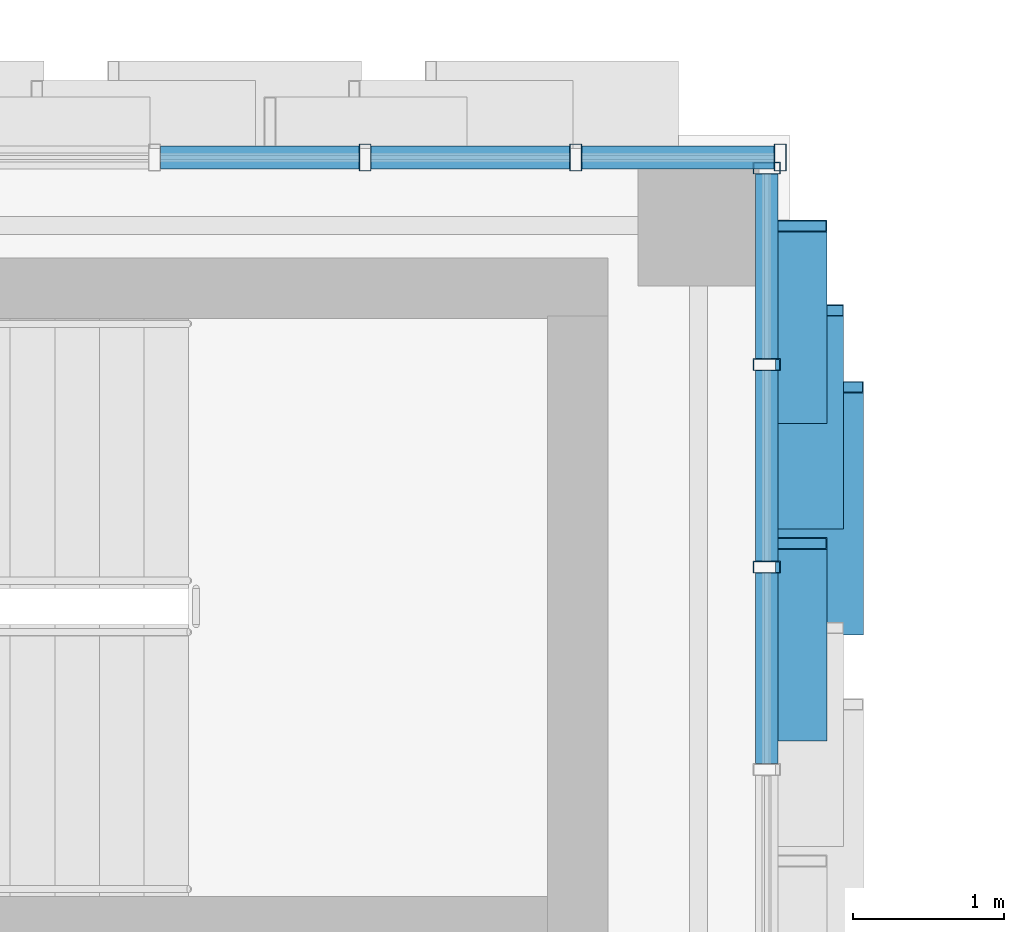
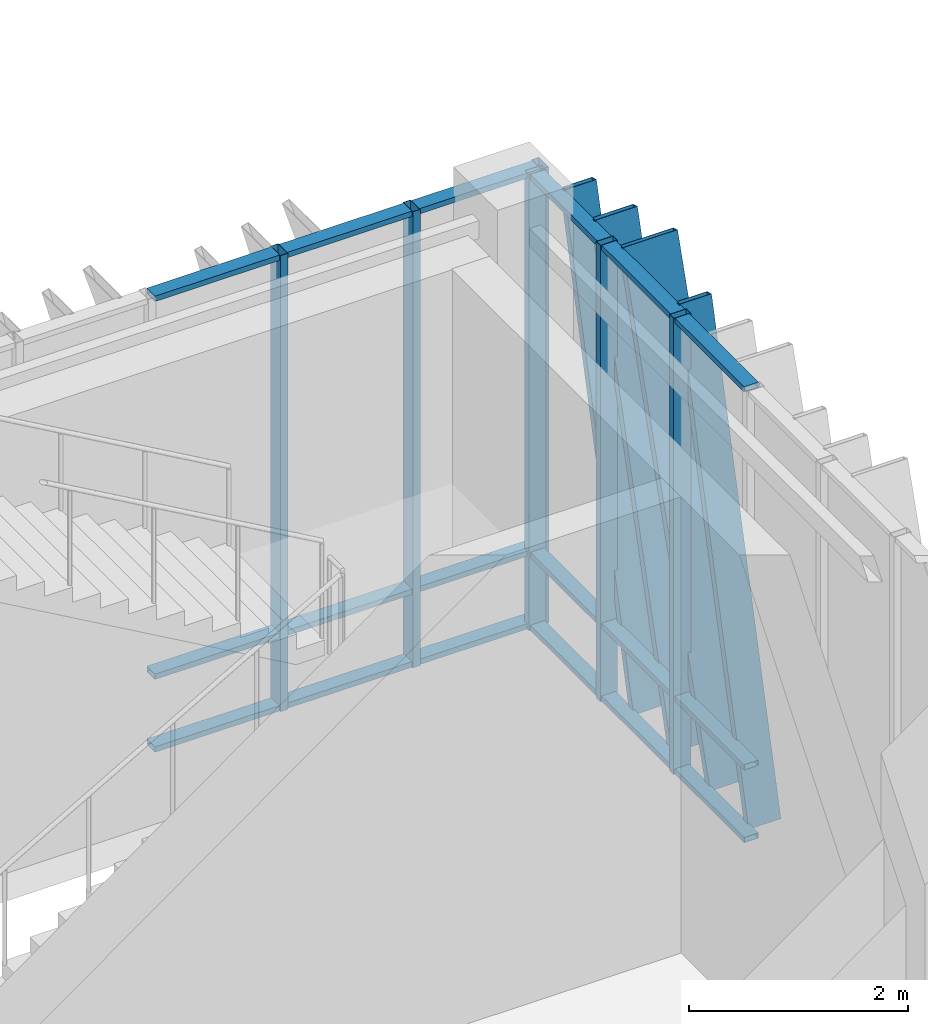
# One storey, part 72 of 139: 28 members, 2 elements without a shape of their own.
"""IFC4 building model written with IfcOpenShell, lengths in metres."""

from ifc_helpers import new_model, si_unit, direction, frame, origin, origin_2d, place, context, subcontext, project, spatial, hollow_rectangle, extrude, material, layer, layer_set, material_profile, profile_set, type_object, element, aggregate, save


model = new_model("IFC4")

# Units and contexts
model_context = context("Model", 3, precision=1e-05, world=origin(), true_north=direction((0.0, 1.0)))
body_context = subcontext(model_context, "Body", "Model", "MODEL_VIEW")
ifc_project = project(units=[si_unit("LENGTHUNIT", "METRE"), si_unit("AREAUNIT", "SQUARE_METRE"), si_unit("VOLUMEUNIT", "CUBIC_METRE"), si_unit("PLANEANGLEUNIT", "RADIAN"), si_unit("MASSUNIT", "GRAM", prefix="KILO")], contexts=[model_context])

# Site, building, storey
site_placement = place(None, origin())
site = spatial("IfcSite", under=ifc_project, at=site_placement, CompositionType="ELEMENT")
building_placement = place(site_placement, origin())
building = spatial("IfcBuilding", under=site, at=building_placement, Name="Zayran Congress Hotel", CompositionType="ELEMENT")
storey_placement = place(building_placement, frame((0.0, 0.0, 5.39990234375)))
storey = spatial("IfcBuildingStorey", under=building, at=storey_placement, Name="L01", CompositionType="ELEMENT", Elevation=5.39990234375)

# Curtain wall, members
ifc_material_1 = material(Name="Anodised aluminium and low-E insulated glass", Category="aluminium")
ifc_layer_1 = layer(ifc_material_1, 0.179931640625)
ifc_layer_set_1 = layer_set([ifc_layer_1], Name="Anodised aluminium and low-E insulated glass")
curtain_wall_type_1 = type_object("IfcCurtainWallType", Name="CW-V1N-L01-CW-21-8360-5080", PredefinedType="USERDEFINED", material=ifc_layer_set_1)
curtain_wall_1_placement = place(storey_placement, origin())
curtain_wall_1 = element("IfcCurtainWall", 1, at=curtain_wall_1_placement, inside=storey, type_object=curtain_wall_type_1, Name="CW-V1N-L01-9", ObjectType="CURTAIN WALL", PredefinedType="USERDEFINED")
ifc_material_2 = material(Name="Anodised aluminium framing", Category="aluminium")
ifc_material_profile_1 = material_profile(ifc_material_2, hollow_rectangle(XDim=0.080078125, YDim=0.179931640625, WallThickness=0.0048828125, at=origin_2d()), Name="RHS 180x80x5")
ifc_profile_set_1 = profile_set([ifc_material_profile_1], Name="Anodised aluminium framing")
member_type_1 = type_object("IfcMemberType", Name="TP-CWM-01", PredefinedType="MULLION", material=ifc_profile_set_1)
member_1_placement = place(storey_placement, frame((92.340087890625, 117.85009765625, 0.0), z_axis=(0.0, 0.0, 1.0), x_axis=(1.0, 0.0, 0.0)))
member_1 = element("IfcMember", 2, at=member_1_placement, type_object=member_type_1, Name="CW-V1N-L01-9-M00", PredefinedType="MULLION", context=body_context, shape_type="SweptSolid", body=[
    extrude(hollow_rectangle(XDim=0.080078125, YDim=0.179931640625, WallThickness=0.0048828125, at=origin_2d()), origin(), (0.0, 0.0, 1.0), 5.080078125),
])
member_2_placement = place(storey_placement, frame((90.98681640625, 117.85009765625, 0.0), z_axis=(0.0, 0.0, 1.0), x_axis=(1.0, 0.0, 0.0)))
member_2 = element("IfcMember", 3, at=member_2_placement, type_object=member_type_1, Name="CW-V1N-L01-9-M01", PredefinedType="MULLION", context=body_context, shape_type="SweptSolid", body=[
    extrude(hollow_rectangle(XDim=0.080078125, YDim=0.179931640625, WallThickness=0.0048828125, at=origin_2d()), origin(), (0.0, 0.0, 1.0), 5.080078125),
])
member_3_placement = place(storey_placement, frame((89.59326171875, 117.85009765625, 0.0), z_axis=(0.0, 0.0, 1.0), x_axis=(1.0, 0.0, 0.0)))
member_3 = element("IfcMember", 4, at=member_3_placement, type_object=member_type_1, Name="CW-V1N-L01-9-M02", PredefinedType="MULLION", context=body_context, shape_type="SweptSolid", body=[
    extrude(hollow_rectangle(XDim=0.080078125, YDim=0.179931640625, WallThickness=0.0048828125, at=origin_2d()), origin(), (0.0, 0.0, 1.0), 5.080078125),
])

ifc_layer_2 = layer(ifc_material_1, 0.179931640625)
ifc_layer_set_2 = layer_set([ifc_layer_2], Name="Anodised aluminium and low-E insulated glass")
curtain_wall_type_2 = type_object("IfcCurtainWallType", Name="CW-V1E-L01-CW-42-8040-5080", PredefinedType="USERDEFINED", material=ifc_layer_set_2)
curtain_wall_2_placement = place(storey_placement, origin())
curtain_wall_2 = element("IfcCurtainWall", 5, at=curtain_wall_2_placement, inside=storey, type_object=curtain_wall_type_2, Name="CW-V1E-L01-5", ObjectType="CURTAIN WALL", PredefinedType="USERDEFINED")
member_4_placement = place(storey_placement, frame((92.25, 115.139892578125, 0.0), z_axis=(0.0, 0.0, 1.0), x_axis=(0.0, 1.0, 0.0)))
member_4 = element("IfcMember", 6, at=member_4_placement, type_object=member_type_1, Name="CW-V1E-L01-5-M04", PredefinedType="MULLION", context=body_context, shape_type="SweptSolid", body=[
    extrude(hollow_rectangle(XDim=0.080078125, YDim=0.179931640625, WallThickness=0.0048828125, at=origin_2d()), origin(), (0.0, 0.0, 1.0), 5.080078125),
])
member_5_placement = place(storey_placement, frame((92.25, 116.47998046875, 0.0), z_axis=(0.0, 0.0, 1.0), x_axis=(0.0, 1.0, 0.0)))
member_5 = element("IfcMember", 7, at=member_5_placement, type_object=member_type_1, Name="CW-V1E-L01-5-M05", PredefinedType="MULLION", context=body_context, shape_type="SweptSolid", body=[
    extrude(hollow_rectangle(XDim=0.080078125, YDim=0.179931640625, WallThickness=0.0048828125, at=origin_2d()), origin(), (0.0, 0.0, 1.0), 5.080078125),
])
member_6_placement = place(storey_placement, frame((92.25, 117.780029296875, 0.0), z_axis=(0.0, 0.0, 1.0), x_axis=(0.0, 1.0, 0.0)))
member_6 = element("IfcMember", 8, at=member_6_placement, type_object=member_type_1, Name="CW-V1E-L01-5-M06", PredefinedType="MULLION", context=body_context, shape_type="SweptSolid", body=[
    extrude(hollow_rectangle(XDim=0.080078125, YDim=0.179931640625, WallThickness=0.0048828125, at=origin_2d()), origin(), (0.0, 0.0, 1.0), 5.080078125),
])

# Member
ifc_material_profile_2 = material_profile(ifc_material_2, hollow_rectangle(XDim=0.06005859375, YDim=0.14990234375, WallThickness=0.00390625, at=origin_2d()), Name="RHS 150x60x4")
ifc_profile_set_2 = profile_set([ifc_material_profile_2], Name="Anodised aluminium framing")
member_type_2 = type_object("IfcMemberType", Name="TP-CWT-01", PredefinedType="USERDEFINED", material=ifc_profile_set_2)
member_7_placement = place(storey_placement, frame((92.300048828125, 117.85009765625, 0.030029296875), z_axis=(-1.0, 0.0, 0.0), x_axis=(0.0, 0.0, 1.0)))
member_7 = element("IfcMember", 9, at=member_7_placement, type_object=member_type_2, Name="CW-V1N-L01-9-T00-0", ObjectType="TRANSOM", PredefinedType="USERDEFINED", context=body_context, shape_type="SweptSolid", body=[
    extrude(hollow_rectangle(XDim=0.06005859375, YDim=0.14990234375, WallThickness=0.00390625, at=origin_2d()), origin(), (0.0, 0.0, 1.0), 1.2734375),
])

member_8_placement = place(storey_placement, frame((92.300048828125, 117.85009765625, 0.840087890625), z_axis=(-1.0, 0.0, 0.0), x_axis=(0.0, 0.0, 1.0)))
member_8 = element("IfcMember", 10, at=member_8_placement, type_object=member_type_2, Name="CW-V1N-L01-9-T00-1", ObjectType="TRANSOM", PredefinedType="USERDEFINED", context=body_context, shape_type="SweptSolid", body=[
    extrude(hollow_rectangle(XDim=0.06005859375, YDim=0.14990234375, WallThickness=0.00390625, at=origin_2d()), origin(), (0.0, 0.0, 1.0), 1.2734375),
])

member_9_placement = place(storey_placement, frame((92.300048828125, 117.85009765625, 5.050048828125), z_axis=(-1.0, 0.0, 0.0), x_axis=(0.0, 0.0, 1.0)))
member_9 = element("IfcMember", 11, at=member_9_placement, type_object=member_type_2, Name="CW-V1N-L01-9-T00-2", ObjectType="TRANSOM", PredefinedType="USERDEFINED", context=body_context, shape_type="SweptSolid", body=[
    extrude(hollow_rectangle(XDim=0.06005859375, YDim=0.14990234375, WallThickness=0.00390625, at=origin_2d()), origin(), (0.0, 0.0, 1.0), 1.2734375),
])

member_10_placement = place(storey_placement, frame((90.94677734375, 117.85009765625, 0.030029296875), z_axis=(-1.0, 0.0, 0.0), x_axis=(0.0, 0.0, 1.0)))
member_10 = element("IfcMember", 12, at=member_10_placement, type_object=member_type_2, Name="CW-V1N-L01-9-T01-0", ObjectType="TRANSOM", PredefinedType="USERDEFINED", context=body_context, shape_type="SweptSolid", body=[
    extrude(hollow_rectangle(XDim=0.06005859375, YDim=0.14990234375, WallThickness=0.00390625, at=origin_2d()), origin(), (0.0, 0.0, 1.0), 1.3134765625),
])

member_11_placement = place(storey_placement, frame((90.94677734375, 117.85009765625, 0.840087890625), z_axis=(-1.0, 0.0, 0.0), x_axis=(0.0, 0.0, 1.0)))
member_11 = element("IfcMember", 13, at=member_11_placement, type_object=member_type_2, Name="CW-V1N-L01-9-T01-1", ObjectType="TRANSOM", PredefinedType="USERDEFINED", context=body_context, shape_type="SweptSolid", body=[
    extrude(hollow_rectangle(XDim=0.06005859375, YDim=0.14990234375, WallThickness=0.00390625, at=origin_2d()), origin(), (0.0, 0.0, 1.0), 1.3134765625),
])

member_12_placement = place(storey_placement, frame((90.94677734375, 117.85009765625, 5.050048828125), z_axis=(-1.0, 0.0, 0.0), x_axis=(0.0, 0.0, 1.0)))
member_12 = element("IfcMember", 14, at=member_12_placement, type_object=member_type_2, Name="CW-V1N-L01-9-T01-2", ObjectType="TRANSOM", PredefinedType="USERDEFINED", context=body_context, shape_type="SweptSolid", body=[
    extrude(hollow_rectangle(XDim=0.06005859375, YDim=0.14990234375, WallThickness=0.00390625, at=origin_2d()), origin(), (0.0, 0.0, 1.0), 1.3134765625),
])

member_13_placement = place(storey_placement, frame((89.55322265625, 117.85009765625, 0.030029296875), z_axis=(-1.0, 0.0, 0.0), x_axis=(0.0, 0.0, 1.0)))
member_13 = element("IfcMember", 15, at=member_13_placement, type_object=member_type_2, Name="CW-V1N-L01-9-T02-0", ObjectType="TRANSOM", PredefinedType="USERDEFINED", context=body_context, shape_type="SweptSolid", body=[
    extrude(hollow_rectangle(XDim=0.06005859375, YDim=0.14990234375, WallThickness=0.00390625, at=origin_2d()), origin(), (0.0, 0.0, 1.0), 1.313232421875),
])

member_14_placement = place(storey_placement, frame((89.55322265625, 117.85009765625, 0.840087890625), z_axis=(-1.0, 0.0, 0.0), x_axis=(0.0, 0.0, 1.0)))
member_14 = element("IfcMember", 16, at=member_14_placement, type_object=member_type_2, Name="CW-V1N-L01-9-T02-1", ObjectType="TRANSOM", PredefinedType="USERDEFINED", context=body_context, shape_type="SweptSolid", body=[
    extrude(hollow_rectangle(XDim=0.06005859375, YDim=0.14990234375, WallThickness=0.00390625, at=origin_2d()), origin(), (0.0, 0.0, 1.0), 1.313232421875),
])

member_15_placement = place(storey_placement, frame((89.55322265625, 117.85009765625, 5.050048828125), z_axis=(-1.0, 0.0, 0.0), x_axis=(0.0, 0.0, 1.0)))
member_15 = element("IfcMember", 17, at=member_15_placement, type_object=member_type_2, Name="CW-V1N-L01-9-T02-2", ObjectType="TRANSOM", PredefinedType="USERDEFINED", context=body_context, shape_type="SweptSolid", body=[
    extrude(hollow_rectangle(XDim=0.06005859375, YDim=0.14990234375, WallThickness=0.00390625, at=origin_2d()), origin(), (0.0, 0.0, 1.0), 1.313232421875),
])

aggregate(curtain_wall_1, [member_1, member_2, member_3, member_7, member_8, member_9, member_10, member_11, member_12, member_13, member_14, member_15])

member_16_placement = place(storey_placement, frame((92.25, 113.840087890625, 0.030029296875), z_axis=(0.0, 1.0, 0.0), x_axis=(0.0, 0.0, 1.0)))
member_16 = element("IfcMember", 18, at=member_16_placement, type_object=member_type_2, Name="CW-V1E-L01-5-T03-0", ObjectType="TRANSOM", PredefinedType="USERDEFINED", context=body_context, shape_type="SweptSolid", body=[
    extrude(hollow_rectangle(XDim=0.06005859375, YDim=0.14990234375, WallThickness=0.00390625, at=origin_2d()), origin(), (0.0, 0.0, 1.0), 1.260009765625),
])

member_17_placement = place(storey_placement, frame((92.25, 113.840087890625, 0.840087890625), z_axis=(0.0, 1.0, 0.0), x_axis=(0.0, 0.0, 1.0)))
member_17 = element("IfcMember", 19, at=member_17_placement, type_object=member_type_2, Name="CW-V1E-L01-5-T03-1", ObjectType="TRANSOM", PredefinedType="USERDEFINED", context=body_context, shape_type="SweptSolid", body=[
    extrude(hollow_rectangle(XDim=0.06005859375, YDim=0.14990234375, WallThickness=0.00390625, at=origin_2d()), origin(), (0.0, 0.0, 1.0), 1.260009765625),
])

member_18_placement = place(storey_placement, frame((92.25, 113.840087890625, 5.050048828125), z_axis=(0.0, 1.0, 0.0), x_axis=(0.0, 0.0, 1.0)))
member_18 = element("IfcMember", 20, at=member_18_placement, type_object=member_type_2, Name="CW-V1E-L01-5-T03-2", ObjectType="TRANSOM", PredefinedType="USERDEFINED", context=body_context, shape_type="SweptSolid", body=[
    extrude(hollow_rectangle(XDim=0.06005859375, YDim=0.14990234375, WallThickness=0.00390625, at=origin_2d()), origin(), (0.0, 0.0, 1.0), 1.260009765625),
])

member_19_placement = place(storey_placement, frame((92.25, 115.179931640625, 0.030029296875), z_axis=(0.0, 1.0, 0.0), x_axis=(0.0, 0.0, 1.0)))
member_19 = element("IfcMember", 21, at=member_19_placement, type_object=member_type_2, Name="CW-V1E-L01-5-T04-0", ObjectType="TRANSOM", PredefinedType="USERDEFINED", context=body_context, shape_type="SweptSolid", body=[
    extrude(hollow_rectangle(XDim=0.06005859375, YDim=0.14990234375, WallThickness=0.00390625, at=origin_2d()), origin(), (0.0, 0.0, 1.0), 1.260009765625),
])

member_20_placement = place(storey_placement, frame((92.25, 115.179931640625, 0.840087890625), z_axis=(0.0, 1.0, 0.0), x_axis=(0.0, 0.0, 1.0)))
member_20 = element("IfcMember", 22, at=member_20_placement, type_object=member_type_2, Name="CW-V1E-L01-5-T04-1", ObjectType="TRANSOM", PredefinedType="USERDEFINED", context=body_context, shape_type="SweptSolid", body=[
    extrude(hollow_rectangle(XDim=0.06005859375, YDim=0.14990234375, WallThickness=0.00390625, at=origin_2d()), origin(), (0.0, 0.0, 1.0), 1.260009765625),
])

member_21_placement = place(storey_placement, frame((92.25, 115.179931640625, 5.050048828125), z_axis=(0.0, 1.0, 0.0), x_axis=(0.0, 0.0, 1.0)))
member_21 = element("IfcMember", 23, at=member_21_placement, type_object=member_type_2, Name="CW-V1E-L01-5-T04-2", ObjectType="TRANSOM", PredefinedType="USERDEFINED", context=body_context, shape_type="SweptSolid", body=[
    extrude(hollow_rectangle(XDim=0.06005859375, YDim=0.14990234375, WallThickness=0.00390625, at=origin_2d()), origin(), (0.0, 0.0, 1.0), 1.260009765625),
])

member_22_placement = place(storey_placement, frame((92.25, 116.52001953125, 0.030029296875), z_axis=(0.0, 1.0, 0.0), x_axis=(0.0, 0.0, 1.0)))
member_22 = element("IfcMember", 24, at=member_22_placement, type_object=member_type_2, Name="CW-V1E-L01-5-T05-0", ObjectType="TRANSOM", PredefinedType="USERDEFINED", context=body_context, shape_type="SweptSolid", body=[
    extrude(hollow_rectangle(XDim=0.06005859375, YDim=0.14990234375, WallThickness=0.00390625, at=origin_2d()), origin(), (0.0, 0.0, 1.0), 1.219970703125),
])

member_23_placement = place(storey_placement, frame((92.25, 116.52001953125, 0.840087890625), z_axis=(0.0, 1.0, 0.0), x_axis=(0.0, 0.0, 1.0)))
member_23 = element("IfcMember", 25, at=member_23_placement, type_object=member_type_2, Name="CW-V1E-L01-5-T05-1", ObjectType="TRANSOM", PredefinedType="USERDEFINED", context=body_context, shape_type="SweptSolid", body=[
    extrude(hollow_rectangle(XDim=0.06005859375, YDim=0.14990234375, WallThickness=0.00390625, at=origin_2d()), origin(), (0.0, 0.0, 1.0), 1.219970703125),
])

member_24_placement = place(storey_placement, frame((92.25, 116.52001953125, 5.050048828125), z_axis=(0.0, 1.0, 0.0), x_axis=(0.0, 0.0, 1.0)))
member_24 = element("IfcMember", 26, at=member_24_placement, type_object=member_type_2, Name="CW-V1E-L01-5-T05-2", ObjectType="TRANSOM", PredefinedType="USERDEFINED", context=body_context, shape_type="SweptSolid", body=[
    extrude(hollow_rectangle(XDim=0.06005859375, YDim=0.14990234375, WallThickness=0.00390625, at=origin_2d()), origin(), (0.0, 0.0, 1.0), 1.219970703125),
])

ifc_material_3 = material(Name="Warm bronze anodised aluminium", Category="aluminium")
ifc_material_profile_3 = material_profile(ifc_material_3, hollow_rectangle(XDim=0.080078125, YDim=0.580078125, WallThickness=0.006103515625, at=origin_2d()), Name="RHS 580x80x6")
ifc_profile_set_3 = profile_set([ifc_material_profile_3], Name="Warm bronze anodised aluminium")
member_type_3 = type_object("IfcMemberType", Name="TP-RFN-01", PredefinedType="MULLION", material=ifc_profile_set_3)
member_25_placement = place(storey_placement, frame((92.60009765625, 114.72998046875, 0.0), z_axis=(0.0, 0.300716755525, 0.953713496259), x_axis=(0.0, -0.953713496259, 0.300716755525)))
member_25 = element("IfcMember", 27, at=member_25_placement, type_object=member_type_3, Name="Slanting Reed Mullion CW-42-07", PredefinedType="MULLION", context=body_context, shape_type="SweptSolid", body=[
    extrude(hollow_rectangle(XDim=0.080078125, YDim=0.580078125, WallThickness=0.006103515625, at=origin_2d()), origin(), (0.0, 0.0, 1.0), 5.32666015625),
])

ifc_material_profile_4 = material_profile(ifc_material_3, hollow_rectangle(XDim=0.080078125, YDim=0.449951171875, WallThickness=0.006103515625, at=origin_2d()), Name="RHS 450x80x6")
ifc_profile_set_4 = profile_set([ifc_material_profile_4], Name="Warm bronze anodised aluminium")
member_type_4 = type_object("IfcMemberType", Name="TP-RFN-02", PredefinedType="MULLION", material=ifc_profile_set_4)
member_26_placement = place(storey_placement, frame((92.534912109375, 115.429931640625, 0.0), z_axis=(0.0, 0.267256905477, 0.96362531436), x_axis=(0.0, -0.96362531436, 0.267256905477)))
member_26 = element("IfcMember", 28, at=member_26_placement, type_object=member_type_4, Name="Slanting Reed Mullion CW-42-08", PredefinedType="MULLION", context=body_context, shape_type="SweptSolid", body=[
    extrude(hollow_rectangle(XDim=0.080078125, YDim=0.449951171875, WallThickness=0.006103515625, at=origin_2d()), origin(), (0.0, 0.0, 1.0), 5.271728515625),
])

ifc_material_profile_5 = material_profile(ifc_material_3, hollow_rectangle(XDim=0.080078125, YDim=0.340087890625, WallThickness=0.006103515625, at=origin_2d()), Name="RHS 340x80x6")
ifc_profile_set_5 = profile_set([ifc_material_profile_5], Name="Warm bronze anodised aluminium")
member_type_5 = type_object("IfcMemberType", Name="TP-RFN-03", PredefinedType="MULLION", material=ifc_profile_set_5)
member_27_placement = place(storey_placement, frame((92.47998046875, 114.030029296875, 0.0), z_axis=(0.0, 0.241921145618, 0.970295913267), x_axis=(0.0, -0.970295913267, 0.241921145618)))
member_27 = element("IfcMember", 29, at=member_27_placement, type_object=member_type_5, Name="Slanting Reed Mullion CW-42-06", PredefinedType="MULLION", context=body_context, shape_type="SweptSolid", body=[
    extrude(hollow_rectangle(XDim=0.080078125, YDim=0.340087890625, WallThickness=0.006103515625, at=origin_2d()), origin(), (0.0, 0.0, 1.0), 5.235595703125),
])

member_28_placement = place(storey_placement, frame((92.47998046875, 116.1298828125, 0.0), z_axis=(0.0, 0.241921145618, 0.970295913267), x_axis=(0.0, -0.970295913267, 0.241921145618)))
member_28 = element("IfcMember", 30, at=member_28_placement, type_object=member_type_5, Name="Slanting Reed Mullion CW-42-09", PredefinedType="MULLION", context=body_context, shape_type="SweptSolid", body=[
    extrude(hollow_rectangle(XDim=0.080078125, YDim=0.340087890625, WallThickness=0.006103515625, at=origin_2d()), origin(), (0.0, 0.0, 1.0), 5.235595703125),
])

aggregate(curtain_wall_2, [member_4, member_5, member_6, member_16, member_17, member_18, member_19, member_20, member_21, member_22, member_23, member_24, member_27, member_25, member_26, member_28])

save(model, "model.ifc")
